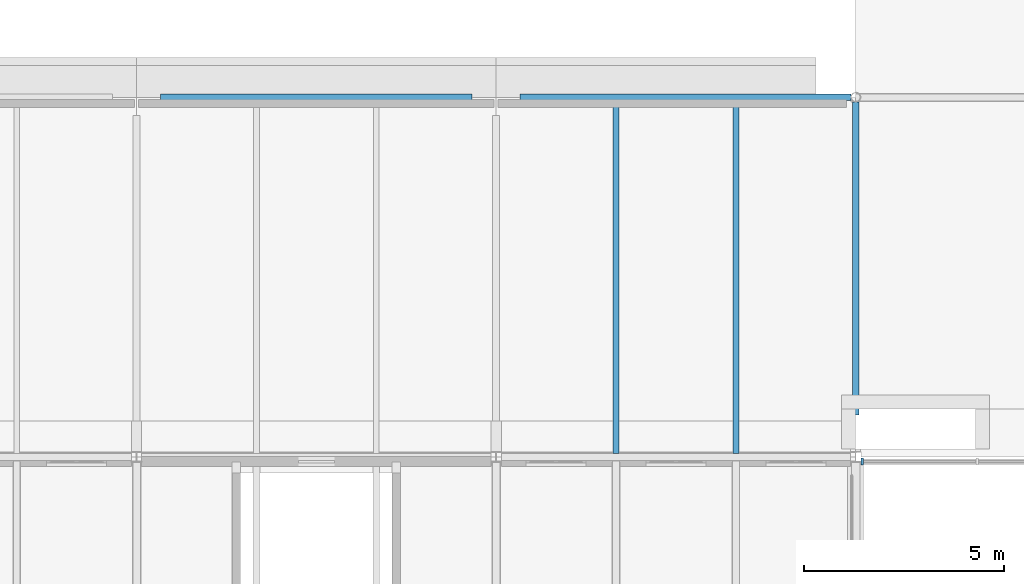
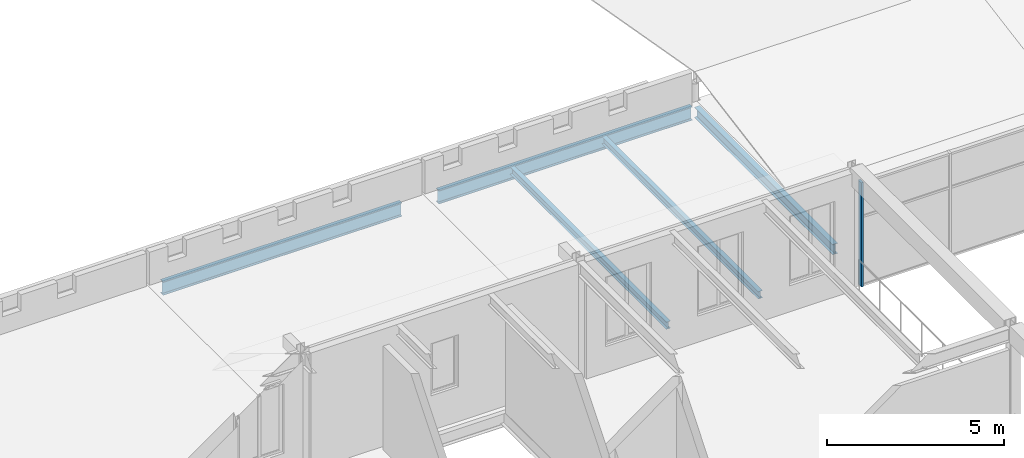
# One storey, part 39 of 123: 5 beams, 1 member, 1 element without a shape of its own.
"""IFC4 building model written with IfcOpenShell, lengths in metres."""

from ifc_helpers import new_model, si_unit, direction, frame, origin, origin_2d, place, context, subcontext, project, spatial, rectangle, i_section, extrude, material, material_profile, profile_set, type_object, element, aggregate, save


model = new_model("IFC4")

# Units and contexts
model_context = context("Model", 3, precision=1e-05, world=origin(), true_north=direction((0.0, 1.0)))
body_context = subcontext(model_context, "Body", "Model", "MODEL_VIEW")
ifc_project = project(units=[si_unit("LENGTHUNIT", "METRE"), si_unit("AREAUNIT", "SQUARE_METRE"), si_unit("VOLUMEUNIT", "CUBIC_METRE"), si_unit("PLANEANGLEUNIT", "RADIAN"), si_unit("MASSUNIT", "GRAM", prefix="KILO")], contexts=[model_context])

# Site, building, storey
site_placement = place(None, origin())
site = spatial("IfcSite", under=ifc_project, at=site_placement, CompositionType="ELEMENT")
building_placement = place(site_placement, origin())
building = spatial("IfcBuilding", under=site, at=building_placement, Name="Baradari Gate Terminus", CompositionType="ELEMENT")
storey_placement = place(building_placement, frame((0.0, 0.0, 7.5)))
storey = spatial("IfcBuildingStorey", under=building, at=storey_placement, Name="L01", CompositionType="ELEMENT", Elevation=7.5)

# Beams
ifc_material_1 = material(Name="Steel S355", Category="steel")
ifc_material_profile_1 = material_profile(ifc_material_1, i_section(OverallWidth=0.17138671875, OverallDepth=0.35498046875, WebThickness=0.00732421875, FlangeThickness=0.011474609375, FilletRadius=0.01025390625, at=origin_2d()), Name="UB 356x171x51")
ifc_profile_set_1 = profile_set([ifc_material_profile_1], Name="Steel S355")
beam_type_1 = type_object("IfcBeamType", Name="Canopy cross beam B61 UB 356x171x51", PredefinedType="BEAM", material=ifc_profile_set_1)
beam_1_placement = place(storey_placement, frame((135.0, 109.050048828125, 0.6025390625), z_axis=(0.0, 1.0, 0.0), x_axis=(-1.0, 0.0, 0.0)))
element("IfcBeam", 1, at=beam_1_placement, inside=storey, type_object=beam_type_1, Name="Canopy cross beam B61 16:109.05-116.878 L01", PredefinedType="BEAM", context=body_context, shape_type="SweptSolid", body=[
    extrude(i_section(OverallWidth=0.17138671875, OverallDepth=0.35498046875, WebThickness=0.00732421875, FlangeThickness=0.011474609375, FilletRadius=0.01025390625, at=origin_2d()), origin(), (0.0, 0.0, 1.0), 7.82763671875),
])
ifc_material_2 = material(Name="Steel S355", Category="steel")
ifc_material_profile_2 = material_profile(ifc_material_2, i_section(OverallWidth=0.1552734375, OverallDepth=0.4658203125, WebThickness=0.010498046875, FlangeThickness=0.018798828125, FilletRadius=0.01025390625, at=origin_2d()), Name="UB 457x152x82")
ifc_profile_set_2 = profile_set([ifc_material_profile_2], Name="Steel S355")
beam_type_2 = type_object("IfcBeamType", Name="Canopy edge beam B59 UB 457x152x82", PredefinedType="BEAM", material=ifc_profile_set_2)
beam_2_placement = place(storey_placement, frame((117.60009765625, 117.0, 0.547119140625), z_axis=(1.0, 0.0, 0.0), x_axis=(0.0, 1.0, 0.0)))
element("IfcBeam", 2, at=beam_2_placement, inside=storey, type_object=beam_type_2, Name="Canopy edge beam B59 P:117.6-125.4 L01", PredefinedType="BEAM", context=body_context, shape_type="SweptSolid", body=[
    extrude(i_section(OverallWidth=0.1552734375, OverallDepth=0.4658203125, WebThickness=0.010498046875, FlangeThickness=0.018798828125, FilletRadius=0.01025390625, at=origin_2d()), origin(), (0.0, 0.0, 1.0), 7.7998046875),
])
beam_3_placement = place(storey_placement, frame((126.60009765625, 117.0, 0.547119140625), z_axis=(1.0, 0.0, 0.0), x_axis=(0.0, 1.0, 0.0)))
element("IfcBeam", 3, at=beam_3_placement, inside=storey, type_object=beam_type_2, Name="Canopy edge beam B59 P:126.6-134.878 L01", PredefinedType="BEAM", context=body_context, shape_type="SweptSolid", body=[
    extrude(i_section(OverallWidth=0.1552734375, OverallDepth=0.4658203125, WebThickness=0.010498046875, FlangeThickness=0.018798828125, FilletRadius=0.01025390625, at=origin_2d()), origin(), (0.0, 0.0, 1.0), 8.277587890625),
])
ifc_material_3 = material(Name="Steel S355", Category="steel")
ifc_material_profile_3 = material_profile(ifc_material_3, i_section(OverallWidth=0.14599609375, OverallDepth=0.25146484375, WebThickness=0.006103515625, FlangeThickness=0.008544921875, FilletRadius=0.007568359375, at=origin_2d()), Name="UB 254x146x31")
ifc_profile_set_3 = profile_set([ifc_material_profile_3], Name="Steel S355")
beam_type_3 = type_object("IfcBeamType", Name="Canopy secondary beam B60 UB 254x146x31", PredefinedType="BEAM", material=ifc_profile_set_3)
for number, where, z_axis, x_axis, name in (
    (4, (129.0, 108.0888671875, 0.654296875), (0.0, 1.0, 0.0), (-1.0, 0.0, 0.0), "Canopy secondary beam B60 129:108.089-116.922 L01"),
    (5, (132.0, 108.0888671875, 0.654296875), (0.0, 1.0, 0.0), (-1.0, 0.0, 0.0), "Canopy secondary beam B60 132:108.089-116.922 L01"),
):
    element("IfcBeam", number, at=place(storey_placement, frame(where, z_axis=z_axis, x_axis=x_axis)), inside=storey, type_object=beam_type_3, Name=name, PredefinedType="BEAM", context=body_context, shape_type="SweptSolid", body=[
        extrude(i_section(OverallWidth=0.14599609375, OverallDepth=0.25146484375, WebThickness=0.006103515625, FlangeThickness=0.008544921875, FilletRadius=0.007568359375, at=origin_2d()), origin(), (0.0, 0.0, 1.0), 8.83349609375),
    ])

# Curtain wall, member
ifc_material_4 = material(Name="Aluminium 6063-T6", Category="aluminium")
curtain_wall_type = type_object("IfcCurtainWallType", Name="Curtain wall CW-4 ticket hall clerestory", PredefinedType="NOTDEFINED", material=ifc_material_4)
curtain_wall_placement = place(storey_placement, origin())
curtain_wall = element("IfcCurtainWall", 6, at=curtain_wall_placement, inside=storey, type_object=curtain_wall_type, Name="Glazed curtain wall CW-4 HN bay 16 L01", PredefinedType="NOTDEFINED")
ifc_material_5 = material(Name="Aluminium 6063-T6", Category="aluminium")
ifc_material_profile_4 = material_profile(ifc_material_5, rectangle(XDim=0.175048828125, YDim=0.06494140625, at=origin_2d()), Name="CM-4 65X175")
ifc_profile_set_4 = profile_set([ifc_material_profile_4], Name="Aluminium 6063-T6")
member_type = type_object("IfcMemberType", Name="Curtain wall mullion CM-4 65x175", PredefinedType="MULLION", material=ifc_profile_set_4)
member_placement = place(storey_placement, frame((135.16064453125, 107.87841796875, 0.0), z_axis=(0.0, 0.0, 1.0), x_axis=(0.0, 1.0, 0.0)))
member = element("IfcMember", 7, at=member_placement, type_object=member_type, Name="CW-4 mullion 1", PredefinedType="MULLION", context=body_context, shape_type="SweptSolid", body=[
    extrude(rectangle(XDim=0.175048828125, YDim=0.06494140625, at=origin_2d()), origin(), (0.0, 0.0, 1.0), 3.60009765625),
])
aggregate(curtain_wall, [member])

save(model, "model.ifc")
